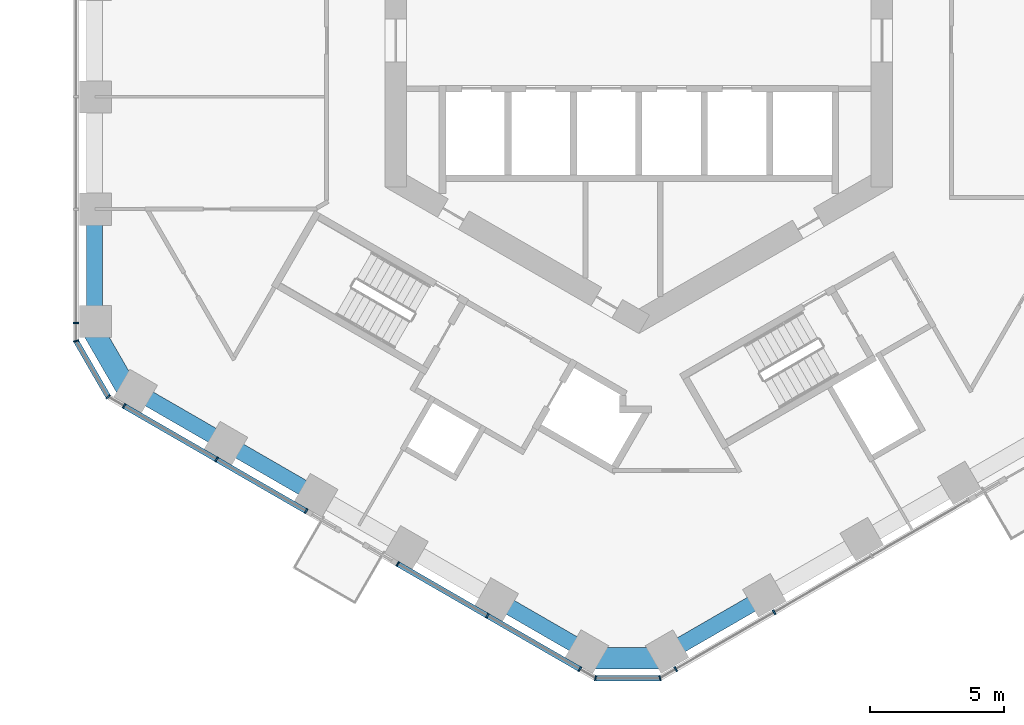
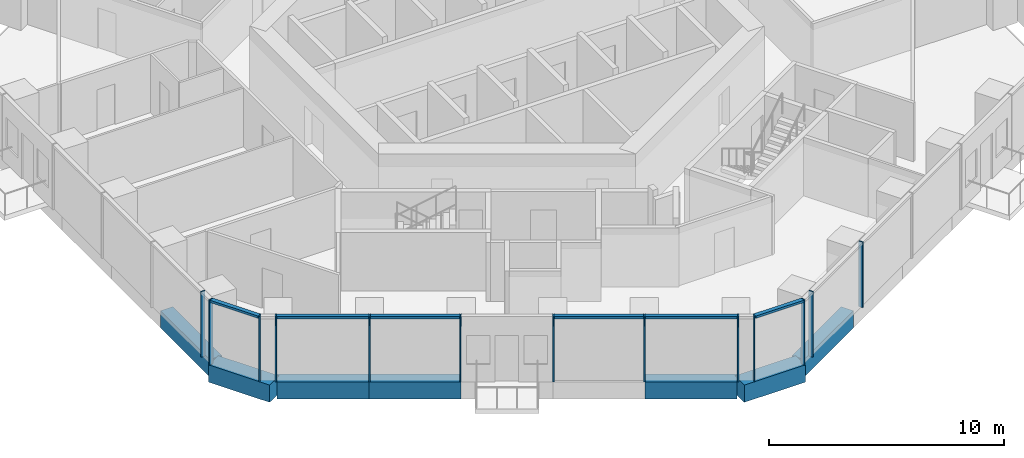
# One storey, part 2 of 20: 17 members, 7 beams, 6 elements without a shape of their own.
"""IFC4 building model written with IfcOpenShell, lengths in metres."""

from ifc_helpers import new_model, si_unit, direction, frame, origin, origin_2d, place, context, subcontext, project, spatial, rectangle, extrude, material, layer, layer_set, material_profile, profile_set, type_object, element, aggregate, save


model = new_model("IFC4")

# Units and contexts
model_context = context("Model", 3, precision=1e-05, world=origin(), true_north=direction((0.0, 1.0)))
body_context = subcontext(model_context, "Body", "Model", "MODEL_VIEW")
ifc_project = project(units=[si_unit("LENGTHUNIT", "METRE"), si_unit("AREAUNIT", "SQUARE_METRE"), si_unit("VOLUMEUNIT", "CUBIC_METRE"), si_unit("PLANEANGLEUNIT", "RADIAN"), si_unit("MASSUNIT", "GRAM", prefix="KILO")], contexts=[model_context])

# Site, building, storey
site_placement = place(None, origin())
site = spatial("IfcSite", under=ifc_project, at=site_placement, CompositionType="ELEMENT")
building_placement = place(site_placement, origin())
building = spatial("IfcBuilding", under=site, at=building_placement, Name="Ayvan Gate Tower", CompositionType="ELEMENT")
storey_placement = place(building_placement, frame((0.0, 0.0, 49.300048828125)))
storey = spatial("IfcBuildingStorey", under=building, at=storey_placement, Name="L12", CompositionType="ELEMENT", Elevation=49.300048828125)

# Beams
ifc_material_1 = material(Name="Concrete C40/50", Category="concrete")
ifc_material_profile_1 = material_profile(ifc_material_1, rectangle(XDim=0.800048828125, YDim=0.89990234375, at=origin_2d()), Name="RC 800x900")
ifc_profile_set_1 = profile_set([ifc_material_profile_1], Name="Concrete C40/50")
beam_type_1 = type_object("IfcBeamType", Name="Corner spandrel beam RC 800x900 C40/50", PredefinedType="BEAM", material=ifc_profile_set_1)
for number, where, z_axis, x_axis, name in (
    (1, (-20.57373046875, -10.609619140625, -0.800048828125), (0.499990139034, -0.866031096941, 0.0), (0.866031096941, 0.499990139034, 0.0), "SB-L12-24"),
    (2, (-1.9013671875, -23.1220703125, -0.800048828125), (1.0, 0.0, 0.0), (0.0, 1.0, 0.0), "SB-L12-30"),
):
    element("IfcBeam", number, at=place(storey_placement, frame(where, z_axis=z_axis, x_axis=x_axis)), inside=storey, type_object=beam_type_1, Name=name, PredefinedType="BEAM", context=body_context, shape_type="SweptSolid", body=[
        extrude(rectangle(XDim=0.800048828125, YDim=0.89990234375, at=origin_2d()), origin(), (0.0, 0.0, 1.0), 3.0),
    ])
ifc_material_profile_2 = material_profile(ifc_material_1, rectangle(XDim=0.60009765625, YDim=0.89990234375, at=origin_2d()), Name="RC 600x900")
ifc_profile_set_2 = profile_set([ifc_material_profile_2], Name="Concrete C40/50")
beam_type_2 = type_object("IfcBeamType", Name="Spandrel beam RC 600x900 C40/50", PredefinedType="BEAM", material=ifc_profile_set_2)
beam_1_placement = place(storey_placement, frame((-20.383056640625, -6.2998046875, -0.800048828125), z_axis=(0.0, -1.0, 0.0), x_axis=(1.0, 0.0, 0.0)))
element("IfcBeam", 3, at=beam_1_placement, inside=storey, type_object=beam_type_2, Name="SB-L12-23", PredefinedType="BEAM", context=body_context, shape_type="SweptSolid", body=[
    extrude(rectangle(XDim=0.60009765625, YDim=0.89990234375, at=origin_2d()), origin(), (0.0, 0.0, 1.0), 4.199951171875),
])
for number, where, z_axis, x_axis, name in (
    (4, (-18.883056640625, -13.097900390625, -0.800048828125), (0.866039410429, -0.499975738995, 0.0), (0.499975738995, 0.866039410429, 0.0), "SB-L12-25"),
    (5, (-15.48681640625, -15.05859375, -0.800048828125), (0.866012453361, -0.50002243012, 0.0), (0.50002243012, 0.866012453361, 0.0), "SB-L12-26"),
):
    element("IfcBeam", number, at=place(storey_placement, frame(where, z_axis=z_axis, x_axis=x_axis)), inside=storey, type_object=beam_type_2, Name=name, PredefinedType="BEAM", context=body_context, shape_type="SweptSolid", body=[
        extrude(rectangle(XDim=0.60009765625, YDim=0.89990234375, at=origin_2d()), origin(), (0.0, 0.0, 1.0), 3.921630859375),
    ])
beam_2_placement = place(storey_placement, frame((-5.2978515625, -20.94140625, -0.800048828125), z_axis=(0.866054971592, -0.499948783558, 0.0), x_axis=(0.499948783558, 0.866054971592, 0.0)))
element("IfcBeam", 6, at=beam_2_placement, inside=storey, type_object=beam_type_2, Name="SB-L12-29", PredefinedType="BEAM", context=body_context, shape_type="SweptSolid", body=[
    extrude(rectangle(XDim=0.60009765625, YDim=0.89990234375, at=origin_2d()), origin(), (0.0, 0.0, 1.0), 3.921875),
])
beam_3_placement = place(storey_placement, frame((1.0986328125, -22.902099609375, -0.800048828125), z_axis=(0.866034573852, 0.49998411664, 0.0), x_axis=(-0.49998411664, 0.866034573852, 0.0)))
element("IfcBeam", 7, at=beam_3_placement, inside=storey, type_object=beam_type_2, Name="SB-L12-31", PredefinedType="BEAM", context=body_context, shape_type="SweptSolid", body=[
    extrude(rectangle(XDim=0.60009765625, YDim=0.89990234375, at=origin_2d()), origin(), (0.0, 0.0, 1.0), 4.199951171875),
])

# Curtain wall, member
ifc_material_2 = material(Name="Bronze anodised aluminium", Category="aluminium")
ifc_layer_1 = layer(ifc_material_2, 0.199951171875)
ifc_layer_set_1 = layer_set([ifc_layer_1], Name="Bronze anodised aluminium")
curtain_wall_type_1 = type_object("IfcCurtainWallType", Name="Stick curtain wall CW-1", PredefinedType="NOTDEFINED", material=ifc_layer_set_1)
curtain_wall_1_placement = place(storey_placement, origin())
curtain_wall_1 = element("IfcCurtainWall", 8, at=curtain_wall_1_placement, inside=storey, type_object=curtain_wall_type_1, Name="Stick curtain wall CW-1 L12", PredefinedType="NOTDEFINED")
ifc_material_profile_3 = material_profile(ifc_material_2, rectangle(XDim=0.199951171875, YDim=0.06005859375, at=origin_2d()), Name="Stick curtain wall CW-1 mullion 200 x 60")
ifc_profile_set_3 = profile_set([ifc_material_profile_3], Name="Bronze anodised aluminium")
member_type_1 = type_object("IfcMemberType", Name="Stick curtain wall CW-1 mullion 200 x 60", PredefinedType="MULLION", material=ifc_profile_set_3)
member_1_placement = place(storey_placement, frame((-21.069091796875, -10.570068359375, 0.0), z_axis=(0.0, 0.0, 1.0), x_axis=(-1.0, 0.0, 0.0)))
member_1 = element("IfcMember", 9, at=member_1_placement, type_object=member_type_1, Name="CW-1 mullion 4", PredefinedType="MULLION", context=body_context, shape_type="SweptSolid", body=[
    extrude(rectangle(XDim=0.199951171875, YDim=0.06005859375, at=origin_2d()), origin(), (0.0, 0.0, 1.0), 3.39990234375),
])
aggregate(curtain_wall_1, [member_1])

# Curtain wall, members
curtain_wall_2_placement = place(storey_placement, origin())
curtain_wall_2 = element("IfcCurtainWall", 10, at=curtain_wall_2_placement, inside=storey, type_object=curtain_wall_type_1, Name="Stick curtain wall CW-1 L12", PredefinedType="NOTDEFINED")
member_2_placement = place(storey_placement, frame((-19.27294921875, -13.680908203125, 0.0), z_axis=(0.0, 0.0, 1.0), x_axis=(-0.5, -0.866025403784, 0.0)))
member_2 = element("IfcMember", 11, at=member_2_placement, type_object=member_type_1, Name="CW-1 mullion 1", PredefinedType="MULLION", context=body_context, shape_type="SweptSolid", body=[
    extrude(rectangle(XDim=0.199951171875, YDim=0.06005859375, at=origin_2d()), origin(), (0.0, 0.0, 1.0), 3.39990234375),
])
member_3_placement = place(storey_placement, frame((-15.810546875, -15.679931640625, 0.0), z_axis=(0.0, 0.0, 1.0), x_axis=(-0.5, -0.866025403784, 0.0)))
member_3 = element("IfcMember", 12, at=member_3_placement, type_object=member_type_1, Name="CW-1 mullion 2", PredefinedType="MULLION", context=body_context, shape_type="SweptSolid", body=[
    extrude(rectangle(XDim=0.199951171875, YDim=0.06005859375, at=origin_2d()), origin(), (0.0, 0.0, 1.0), 3.39990234375),
])
member_4_placement = place(storey_placement, frame((-12.457275390625, -17.615966796875, 0.0), z_axis=(0.0, 0.0, 1.0), x_axis=(-0.5, -0.866025403784, 0.0)))
member_4 = element("IfcMember", 13, at=member_4_placement, type_object=member_type_1, Name="CW-1 mullion 3", PredefinedType="MULLION", context=body_context, shape_type="SweptSolid", body=[
    extrude(rectangle(XDim=0.199951171875, YDim=0.06005859375, at=origin_2d()), origin(), (0.0, 0.0, 1.0), 3.39990234375),
])

curtain_wall_3_placement = place(storey_placement, origin())
curtain_wall_3 = element("IfcCurtainWall", 14, at=curtain_wall_3_placement, inside=storey, type_object=curtain_wall_type_1, Name="Stick curtain wall CW-1 L12", PredefinedType="NOTDEFINED")
member_5_placement = place(storey_placement, frame((-9.027099609375, -19.596435546875, 0.0), z_axis=(0.0, 0.0, 1.0), x_axis=(-0.5, -0.866025403784, 0.0)))
member_5 = element("IfcMember", 15, at=member_5_placement, type_object=member_type_1, Name="CW-1 mullion 1", PredefinedType="MULLION", context=body_context, shape_type="SweptSolid", body=[
    extrude(rectangle(XDim=0.199951171875, YDim=0.06005859375, at=origin_2d()), origin(), (0.0, 0.0, 1.0), 3.39990234375),
])
member_6_placement = place(storey_placement, frame((-5.673828125, -21.532470703125, 0.0), z_axis=(0.0, 0.0, 1.0), x_axis=(-0.5, -0.866025403784, 0.0)))
member_6 = element("IfcMember", 16, at=member_6_placement, type_object=member_type_1, Name="CW-1 mullion 2", PredefinedType="MULLION", context=body_context, shape_type="SweptSolid", body=[
    extrude(rectangle(XDim=0.199951171875, YDim=0.06005859375, at=origin_2d()), origin(), (0.0, 0.0, 1.0), 3.39990234375),
])
member_7_placement = place(storey_placement, frame((-2.211669921875, -23.531494140625, 0.0), z_axis=(0.0, 0.0, 1.0), x_axis=(-0.5, -0.866025403784, 0.0)))
member_7 = element("IfcMember", 17, at=member_7_placement, type_object=member_type_1, Name="CW-1 mullion 3", PredefinedType="MULLION", context=body_context, shape_type="SweptSolid", body=[
    extrude(rectangle(XDim=0.199951171875, YDim=0.06005859375, at=origin_2d()), origin(), (0.0, 0.0, 1.0), 3.39990234375),
])

curtain_wall_4_placement = place(storey_placement, origin())
curtain_wall_4 = element("IfcCurtainWall", 18, at=curtain_wall_4_placement, inside=storey, type_object=curtain_wall_type_1, Name="Stick curtain wall CW-1 L12", PredefinedType="NOTDEFINED")
member_8_placement = place(storey_placement, frame((1.380859375, -23.531494140625, 0.0), z_axis=(0.0, 0.0, 1.0), x_axis=(0.5, -0.866025403784, 0.0)))
member_8 = element("IfcMember", 19, at=member_8_placement, type_object=member_type_1, Name="CW-1 mullion 1", PredefinedType="MULLION", context=body_context, shape_type="SweptSolid", body=[
    extrude(rectangle(XDim=0.199951171875, YDim=0.06005859375, at=origin_2d()), origin(), (0.0, 0.0, 1.0), 3.39990234375),
])
member_9_placement = place(storey_placement, frame((5.065673828125, -21.40380859375, 0.0), z_axis=(0.0, 0.0, 1.0), x_axis=(0.5, -0.866025403784, 0.0)))
member_9 = element("IfcMember", 20, at=member_9_placement, type_object=member_type_1, Name="CW-1 mullion 2", PredefinedType="MULLION", context=body_context, shape_type="SweptSolid", body=[
    extrude(rectangle(XDim=0.199951171875, YDim=0.06005859375, at=origin_2d()), origin(), (0.0, 0.0, 1.0), 3.39990234375),
])
aggregate(curtain_wall_4, [member_8, member_9])

# Member
ifc_material_profile_4 = material_profile(ifc_material_2, rectangle(XDim=0.199951171875, YDim=0.1201171875, at=origin_2d()), Name="Stick curtain wall CW-1 transom 200 x 120")
ifc_profile_set_4 = profile_set([ifc_material_profile_4], Name="Bronze anodised aluminium")
member_type_2 = type_object("IfcMemberType", Name="Stick curtain wall CW-1 transom 200 x 120", PredefinedType="USERDEFINED", material=ifc_profile_set_4)
member_10_placement = place(storey_placement, frame((-19.27294921875, -13.680908203125, 3.33984375), z_axis=(0.866023892137, -0.500002618242, 0.0), x_axis=(0.500002618242, 0.866023892137, 0.0)))
member_10 = element("IfcMember", 21, at=member_10_placement, type_object=member_type_2, Name="CW-1 transom 1", ObjectType="TRANSOM", PredefinedType="USERDEFINED", context=body_context, shape_type="SweptSolid", body=[
    extrude(rectangle(XDim=0.199951171875, YDim=0.1201171875, at=origin_2d()), origin(), (0.0, 0.0, 1.0), 7.8701171875),
])

aggregate(curtain_wall_2, [member_2, member_3, member_4, member_10])

member_11_placement = place(storey_placement, frame((-9.027099609375, -19.596435546875, 3.33984375), z_axis=(0.866016136398, -0.500016051241, 0.0), x_axis=(0.500016051241, 0.866016136398, 0.0)))
member_11 = element("IfcMember", 22, at=member_11_placement, type_object=member_type_2, Name="CW-1 transom 1", ObjectType="TRANSOM", PredefinedType="USERDEFINED", context=body_context, shape_type="SweptSolid", body=[
    extrude(rectangle(XDim=0.199951171875, YDim=0.1201171875, at=origin_2d()), origin(), (0.0, 0.0, 1.0), 7.869873046875),
])

aggregate(curtain_wall_3, [member_5, member_6, member_7, member_11])

# Curtain wall, members
ifc_layer_2 = layer(ifc_material_2, 0.199951171875)
ifc_layer_set_2 = layer_set([ifc_layer_2], Name="Bronze anodised aluminium")
curtain_wall_type_2 = type_object("IfcCurtainWallType", Name="Stick curtain wall CW-6", PredefinedType="NOTDEFINED", material=ifc_layer_set_2)
curtain_wall_5_placement = place(storey_placement, origin())
curtain_wall_5 = element("IfcCurtainWall", 23, at=curtain_wall_5_placement, inside=storey, type_object=curtain_wall_type_2, Name="Stick curtain wall CW-6 L12", PredefinedType="NOTDEFINED")
ifc_material_profile_5 = material_profile(ifc_material_2, rectangle(XDim=0.199951171875, YDim=0.050048828125, at=origin_2d()), Name="Stick curtain wall CW-6 mullion 200 x 50")
ifc_profile_set_5 = profile_set([ifc_material_profile_5], Name="Bronze anodised aluminium")
member_type_3 = type_object("IfcMemberType", Name="Stick curtain wall CW-6 mullion 200 x 50", PredefinedType="MULLION", material=ifc_profile_set_5)
member_12_placement = place(storey_placement, frame((-21.069091796875, -11.25, 0.0), z_axis=(0.0, 0.0, 1.0), x_axis=(-0.965925826289, -0.258819045103, 0.0)))
member_12 = element("IfcMember", 24, at=member_12_placement, type_object=member_type_3, Name="CW-6 mullion 2", PredefinedType="MULLION", context=body_context, shape_type="SweptSolid", body=[
    extrude(rectangle(XDim=0.199951171875, YDim=0.050048828125, at=origin_2d()), origin(), (0.0, 0.0, 1.0), 3.39990234375),
])
member_13_placement = place(storey_placement, frame((-19.86181640625, -13.341064453125, 0.0), z_axis=(0.0, 0.0, 1.0), x_axis=(-0.707106781187, -0.707106781187, 0.0)))
member_13 = element("IfcMember", 25, at=member_13_placement, type_object=member_type_3, Name="CW-6 mullion 3", PredefinedType="MULLION", context=body_context, shape_type="SweptSolid", body=[
    extrude(rectangle(XDim=0.199951171875, YDim=0.050048828125, at=origin_2d()), origin(), (0.0, 0.0, 1.0), 3.39990234375),
])

curtain_wall_6_placement = place(storey_placement, origin())
curtain_wall_6 = element("IfcCurtainWall", 26, at=curtain_wall_6_placement, inside=storey, type_object=curtain_wall_type_2, Name="Stick curtain wall CW-6 L12", PredefinedType="NOTDEFINED")
member_14_placement = place(storey_placement, frame((-1.622802734375, -23.871337890625, 0.0), z_axis=(0.0, 0.0, 1.0), x_axis=(-0.258819045103, -0.965925826289, 0.0)))
member_14 = element("IfcMember", 27, at=member_14_placement, type_object=member_type_3, Name="CW-6 mullion 2", PredefinedType="MULLION", context=body_context, shape_type="SweptSolid", body=[
    extrude(rectangle(XDim=0.199951171875, YDim=0.050048828125, at=origin_2d()), origin(), (0.0, 0.0, 1.0), 3.39990234375),
])
member_15_placement = place(storey_placement, frame((0.791748046875, -23.871337890625, 0.0), z_axis=(0.0, 0.0, 1.0), x_axis=(0.258819045103, -0.965925826289, 0.0)))
member_15 = element("IfcMember", 28, at=member_15_placement, type_object=member_type_3, Name="CW-6 mullion 3", PredefinedType="MULLION", context=body_context, shape_type="SweptSolid", body=[
    extrude(rectangle(XDim=0.199951171875, YDim=0.050048828125, at=origin_2d()), origin(), (0.0, 0.0, 1.0), 3.39990234375),
])

# Member
ifc_material_profile_6 = material_profile(ifc_material_2, rectangle(XDim=0.199951171875, YDim=0.1201171875, at=origin_2d()), Name="Stick curtain wall CW-6 transom 200 x 120")
ifc_profile_set_6 = profile_set([ifc_material_profile_6], Name="Bronze anodised aluminium")
member_type_4 = type_object("IfcMemberType", Name="Stick curtain wall CW-6 transom 200 x 120", PredefinedType="USERDEFINED", material=ifc_profile_set_6)
member_16_placement = place(storey_placement, frame((-21.056640625, -11.271484375, 3.33984375), z_axis=(0.499936960004, -0.866061796884, 0.0), x_axis=(0.866061796884, 0.499936960004, 0.0)))
member_16 = element("IfcMember", 29, at=member_16_placement, type_object=member_type_4, Name="CW-6 transom 2", ObjectType="TRANSOM", PredefinedType="USERDEFINED", context=body_context, shape_type="SweptSolid", body=[
    extrude(rectangle(XDim=0.199951171875, YDim=0.1201171875, at=origin_2d()), origin(), (0.0, 0.0, 1.0), 2.364501953125),
])

aggregate(curtain_wall_5, [member_12, member_13, member_16])

member_17_placement = place(storey_placement, frame((-1.59765625, -23.871337890625, 3.33984375), z_axis=(1.0, 0.0, 0.0), x_axis=(0.0, 1.0, 0.0)))
member_17 = element("IfcMember", 30, at=member_17_placement, type_object=member_type_4, Name="CW-6 transom 2", ObjectType="TRANSOM", PredefinedType="USERDEFINED", context=body_context, shape_type="SweptSolid", body=[
    extrude(rectangle(XDim=0.199951171875, YDim=0.1201171875, at=origin_2d()), origin(), (0.0, 0.0, 1.0), 2.364501953125),
])

aggregate(curtain_wall_6, [member_14, member_15, member_17])

save(model, "model.ifc")
